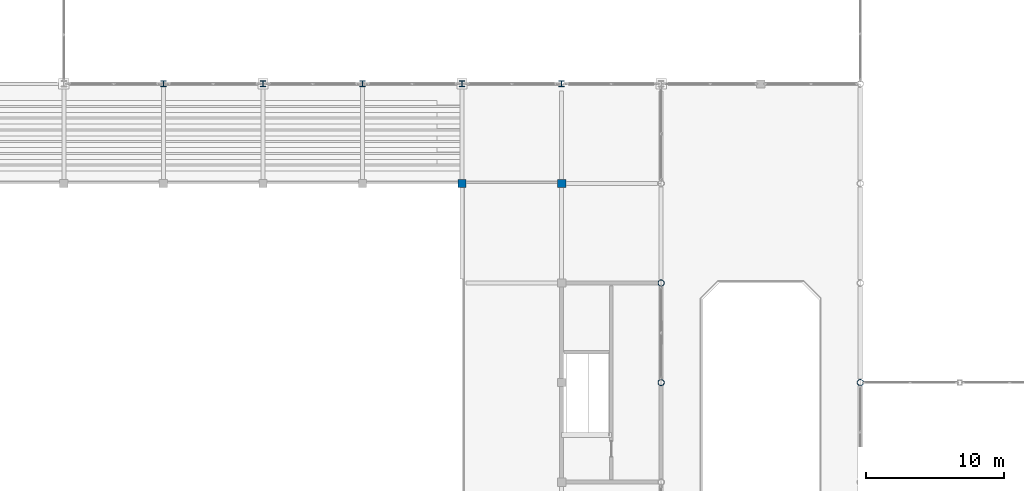
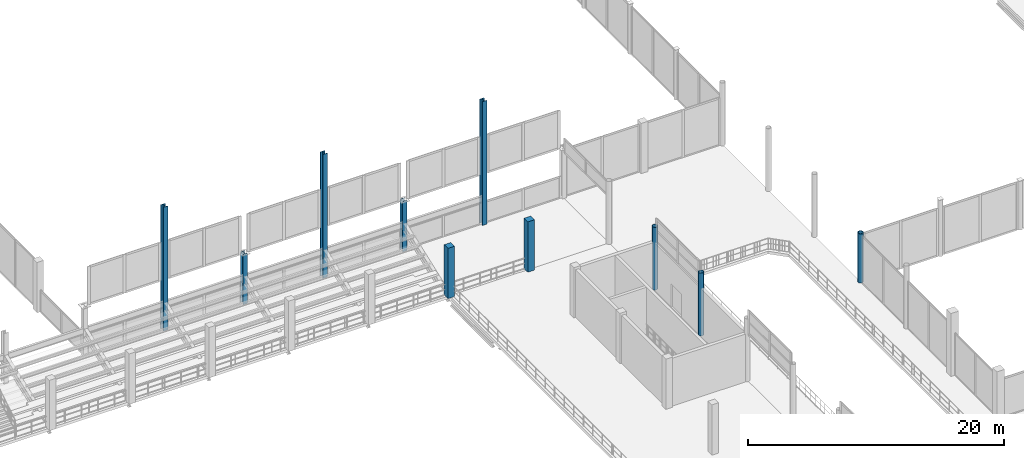
# One storey, part 8 of 120: 10 columns.
"""IFC4 building model written with IfcOpenShell, lengths in metres."""

from ifc_helpers import new_model, si_unit, direction, frame, origin, origin_2d, place, context, subcontext, project, spatial, rectangle, hollow_circle, i_section, extrude, material, material_profile, profile_set, type_object, element, save


model = new_model("IFC4")

# Units and contexts
model_context = context("Model", 3, precision=1e-05, world=origin(), true_north=direction((0.0, 1.0)))
body_context = subcontext(model_context, "Body", "Model", "MODEL_VIEW")
ifc_project = project(units=[si_unit("LENGTHUNIT", "METRE"), si_unit("AREAUNIT", "SQUARE_METRE"), si_unit("VOLUMEUNIT", "CUBIC_METRE"), si_unit("PLANEANGLEUNIT", "RADIAN"), si_unit("MASSUNIT", "GRAM", prefix="KILO")], contexts=[model_context])

# Site, building, storey
site_placement = place(None, origin())
site = spatial("IfcSite", under=ifc_project, at=site_placement, CompositionType="ELEMENT")
building_placement = place(site_placement, origin())
building = spatial("IfcBuilding", under=site, at=building_placement, Name="Vesperath Aquatics Centre", CompositionType="ELEMENT")
storey_placement = place(building_placement, frame((0.0, 0.0, 10.199951171875)))
storey = spatial("IfcBuildingStorey", under=building, at=storey_placement, Name="L02", CompositionType="ELEMENT", Elevation=10.199951171875)

# Columns
ifc_material_1 = material(Name="Concrete C40", Category="concrete")
ifc_material_profile_1 = material_profile(ifc_material_1, rectangle(XDim=0.60009765625, YDim=0.60009765625, at=origin_2d()), Name="RC 600x600")
ifc_profile_set_1 = profile_set([ifc_material_profile_1], Name="Concrete C40")
column_type_1 = type_object("IfcColumnType", Name="CL-C06", PredefinedType="COLUMN", material=ifc_profile_set_1)
for number, where, z_axis, x_axis, name in (
    (1, (86.39990234375, 79.199951171875, 0.0), (0.0, 0.0, 1.0), (1.0, 0.0, 0.0), "Column C06 L02 13/M"),
    (2, (93.60009765625, 79.199951171875, 0.0), (0.0, 0.0, 1.0), (1.0, 0.0, 0.0), "Column C06 L02 14/M"),
):
    element("IfcColumn", number, at=place(storey_placement, frame(where, z_axis=z_axis, x_axis=x_axis)), inside=storey, type_object=column_type_1, Name=name, PredefinedType="COLUMN", context=body_context, shape_type="SweptSolid", body=[
        extrude(rectangle(XDim=0.60009765625, YDim=0.60009765625, at=origin_2d()), origin(), (0.0, 0.0, 1.0), 4.800048828125),
    ])
ifc_material_2 = material(Name="Steel Q355D", Category="steel")
ifc_material_profile_2 = material_profile(ifc_material_2, i_section(OverallWidth=0.406982421875, OverallDepth=0.427978515625, WebThickness=0.02001953125, FlangeThickness=0.034912109375, FilletRadius=0.02197265625, at=origin_2d()), Name="HW 428x407x20x35")
ifc_profile_set_2 = profile_set([ifc_material_profile_2], Name="Steel Q355D")
column_type_2 = type_object("IfcColumnType", Name="CL-C09", PredefinedType="COLUMN", material=ifc_profile_set_2)
column_1_placement = place(storey_placement, frame((64.800048828125, 86.39990234375, 0.0), z_axis=(0.0, 0.0, 1.0), x_axis=(1.0, 0.0, 0.0)))
element("IfcColumn", 3, at=column_1_placement, inside=storey, type_object=column_type_2, Name="Column C09 L02 10/N", PredefinedType="COLUMN", context=body_context, shape_type="SweptSolid", body=[
    extrude(i_section(OverallWidth=0.406982421875, OverallDepth=0.427978515625, WebThickness=0.02001953125, FlangeThickness=0.034912109375, FilletRadius=0.02197265625, at=origin_2d()), origin(), (0.0, 0.0, 1.0), 11.824951171875),
])
column_2_placement = place(storey_placement, frame((72.0, 86.39990234375, 0.0), z_axis=(0.0, 0.0, 1.0), x_axis=(1.0, 0.0, 0.0)))
element("IfcColumn", 4, at=column_2_placement, inside=storey, type_object=column_type_2, Name="Column C09 L02 11/N", PredefinedType="COLUMN", context=body_context, shape_type="SweptSolid", body=[
    extrude(i_section(OverallWidth=0.406982421875, OverallDepth=0.427978515625, WebThickness=0.02001953125, FlangeThickness=0.034912109375, FilletRadius=0.02197265625, at=origin_2d()), origin(), (0.0, 0.0, 1.0), 4.800048828125),
])
column_3_placement = place(storey_placement, frame((79.199951171875, 86.39990234375, 0.0), z_axis=(0.0, 0.0, 1.0), x_axis=(1.0, 0.0, 0.0)))
element("IfcColumn", 5, at=column_3_placement, inside=storey, type_object=column_type_2, Name="Column C09 L02 12/N", PredefinedType="COLUMN", context=body_context, shape_type="SweptSolid", body=[
    extrude(i_section(OverallWidth=0.406982421875, OverallDepth=0.427978515625, WebThickness=0.02001953125, FlangeThickness=0.034912109375, FilletRadius=0.02197265625, at=origin_2d()), origin(), (0.0, 0.0, 1.0), 11.824951171875),
])
column_4_placement = place(storey_placement, frame((86.39990234375, 86.39990234375, 0.0), z_axis=(0.0, 0.0, 1.0), x_axis=(1.0, 0.0, 0.0)))
element("IfcColumn", 6, at=column_4_placement, inside=storey, type_object=column_type_2, Name="Column C09 L02 13/N", PredefinedType="COLUMN", context=body_context, shape_type="SweptSolid", body=[
    extrude(i_section(OverallWidth=0.406982421875, OverallDepth=0.427978515625, WebThickness=0.02001953125, FlangeThickness=0.034912109375, FilletRadius=0.02197265625, at=origin_2d()), origin(), (0.0, 0.0, 1.0), 4.800048828125),
])
column_5_placement = place(storey_placement, frame((93.60009765625, 86.39990234375, 0.0), z_axis=(0.0, 0.0, 1.0), x_axis=(1.0, 0.0, 0.0)))
element("IfcColumn", 7, at=column_5_placement, inside=storey, type_object=column_type_2, Name="Column C09 L02 14/N", PredefinedType="COLUMN", context=body_context, shape_type="SweptSolid", body=[
    extrude(i_section(OverallWidth=0.406982421875, OverallDepth=0.427978515625, WebThickness=0.02001953125, FlangeThickness=0.034912109375, FilletRadius=0.02197265625, at=origin_2d()), origin(), (0.0, 0.0, 1.0), 11.824951171875),
])
ifc_material_profile_3 = material_profile(ifc_material_2, hollow_circle(Radius=0.228515625, WallThickness=0.02001953125, at=origin_2d()), Name="CHS 457.0x20")
ifc_profile_set_3 = profile_set([ifc_material_profile_3], Name="Steel Q355D")
column_type_3 = type_object("IfcColumnType", Name="CL-C13", PredefinedType="COLUMN", material=ifc_profile_set_3)
for number, where, z_axis, x_axis, name in (
    (8, (100.800048828125, 64.800048828125, 0.0), (0.0, 0.0, 1.0), (1.0, 0.0, 0.0), "Column C13 L02 15/K"),
    (9, (100.800048828125, 72.0, 0.0), (0.0, 0.0, 1.0), (1.0, 0.0, 0.0), "Column C13 L02 15/L"),
):
    element("IfcColumn", number, at=place(storey_placement, frame(where, z_axis=z_axis, x_axis=x_axis)), inside=storey, type_object=column_type_3, Name=name, PredefinedType="COLUMN", context=body_context, shape_type="SweptSolid", body=[
        extrude(hollow_circle(Radius=0.228515625, WallThickness=0.02001953125, at=origin_2d()), origin(), (0.0, 0.0, 1.0), 6.0),
    ])
column_6_placement = place(storey_placement, frame((115.199951171875, 64.800048828125, 0.0), z_axis=(0.0, 0.0, 1.0), x_axis=(1.0, 0.0, 0.0)))
element("IfcColumn", 10, at=column_6_placement, inside=storey, type_object=column_type_3, Name="Column C13 L02 17/K", PredefinedType="COLUMN", context=body_context, shape_type="SweptSolid", body=[
    extrude(hollow_circle(Radius=0.228515625, WallThickness=0.02001953125, at=origin_2d()), origin(), (0.0, 0.0, 1.0), 4.705078125),
])

save(model, "model.ifc")
